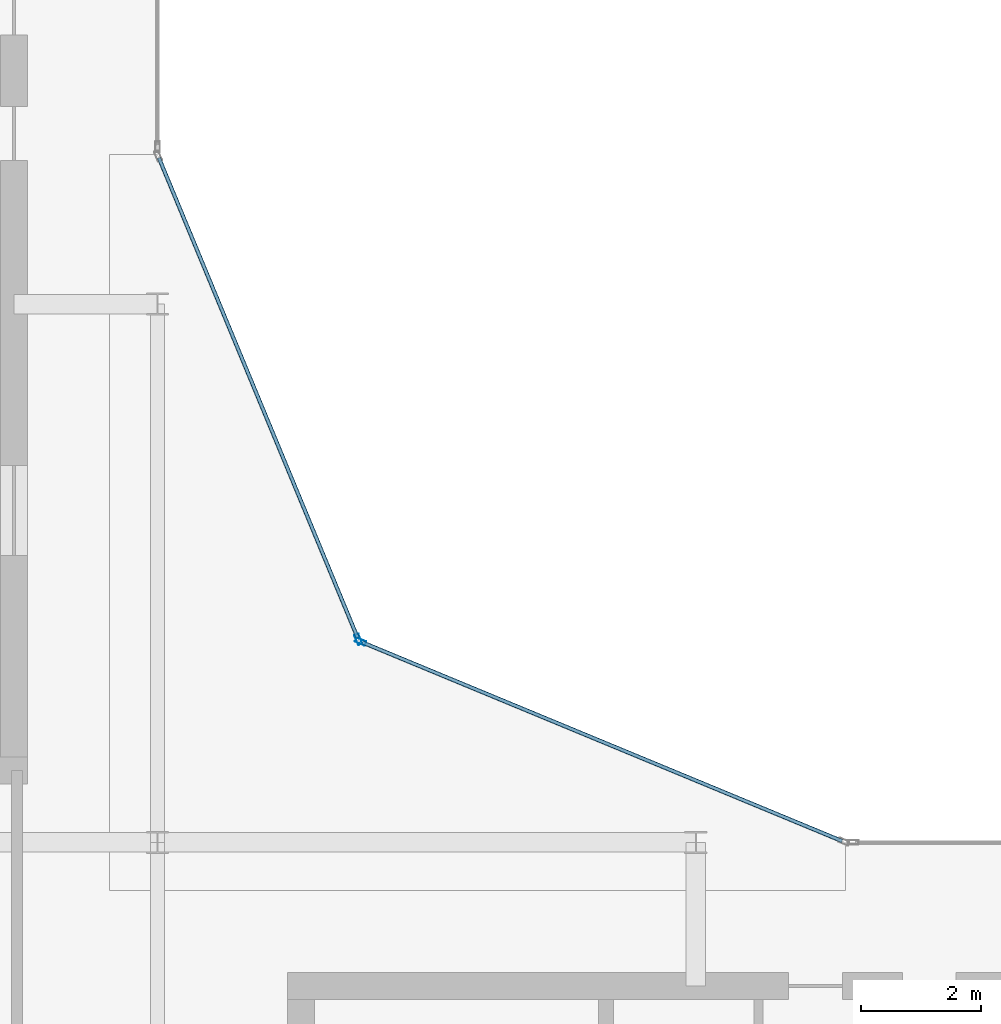
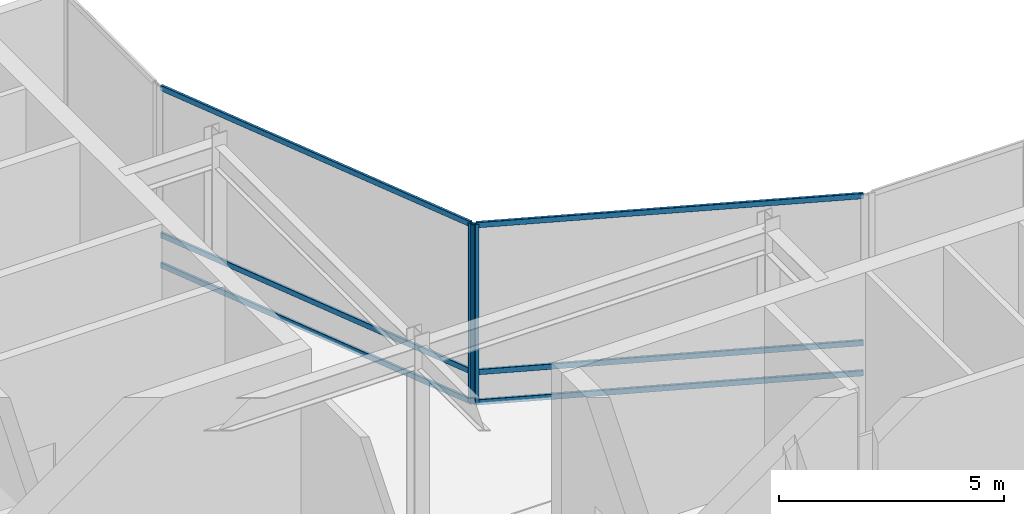
# One storey, part 10 of 21: 8 members, 2 elements without a shape of their own.
"""IFC4 building model written with IfcOpenShell, lengths in metres."""

from ifc_helpers import new_model, si_unit, direction, frame, origin, origin_2d, place, context, subcontext, project, spatial, hollow_rectangle, extrude, material, layer, layer_set, material_profile, profile_set, type_object, element, aggregate, save


model = new_model("IFC4")

# Units and contexts
model_context = context("Model", 3, precision=1e-05, world=origin(), true_north=direction((0.0, 1.0)))
body_context = subcontext(model_context, "Body", "Model", "MODEL_VIEW")
ifc_project = project(units=[si_unit("LENGTHUNIT", "METRE"), si_unit("AREAUNIT", "SQUARE_METRE"), si_unit("VOLUMEUNIT", "CUBIC_METRE"), si_unit("PLANEANGLEUNIT", "RADIAN"), si_unit("MASSUNIT", "GRAM", prefix="KILO")], contexts=[model_context])

# Site, building, storey
site_placement = place(None, origin())
site = spatial("IfcSite", under=ifc_project, at=site_placement, CompositionType="ELEMENT")
building_placement = place(site_placement, origin())
building = spatial("IfcBuilding", under=site, at=building_placement, Name="Solvaryn Broadcast Tower", CompositionType="ELEMENT")
storey_placement = place(building_placement, frame((0.0, 0.0, 297.39990234375)))
storey = spatial("IfcBuildingStorey", under=building, at=storey_placement, Name="L75", CompositionType="ELEMENT", Elevation=297.39990234375)

# Curtain wall, member
ifc_material_1 = material(Name="Aluminium and Terracotta Unitised Curtain Wall", Category="masonry")
ifc_layer = layer(ifc_material_1, 0.260009765625)
ifc_layer_set = layer_set([ifc_layer], Name="CW-SYS5-DAMPER")
curtain_wall_type = type_object("IfcCurtainWallType", Name="CW-SYS5-DAMPER", PredefinedType="NOTDEFINED", material=ifc_layer_set)
curtain_wall_1_placement = place(storey_placement, origin())
curtain_wall_1 = element("IfcCurtainWall", 1, at=curtain_wall_1_placement, inside=storey, type_object=curtain_wall_type, Name="L75 Curtain Wall CN1", PredefinedType="NOTDEFINED")
ifc_material_2 = material(Name="Anodised Aluminium 6063-T6", Category="aluminium")
ifc_material_profile_1 = material_profile(ifc_material_2, hollow_rectangle(XDim=0.074951171875, YDim=0.179931640625, WallThickness=0.00390625, InnerFilletRadius=0.00390625, OuterFilletRadius=0.008056640625, at=origin_2d()))
ifc_profile_set_1 = profile_set([ifc_material_profile_1], Name="Anodised Aluminium 6063-T6")
member_type_1 = type_object("IfcMemberType", Name="CW-MUL-180", PredefinedType="MULLION", material=ifc_profile_set_1)
member_1_placement = place(storey_placement, frame((30.395751953125, 30.3564453125, 0.0), z_axis=(0.0, 0.0, 1.0), x_axis=(-0.382646127145, -0.923894983957, 0.0)))
member_1 = element("IfcMember", 2, at=member_1_placement, type_object=member_type_1, Name="CWS5 mullion 2", PredefinedType="MULLION", context=body_context, shape_type="SweptSolid", body=[
    extrude(hollow_rectangle(XDim=0.074951171875, YDim=0.179931640625, WallThickness=0.00390625, InnerFilletRadius=0.00390625, OuterFilletRadius=0.008056640625, at=origin_2d()), origin(), (0.0, 0.0, 1.0), 4.8701171875),
])

curtain_wall_2_placement = place(storey_placement, origin())
curtain_wall_2 = element("IfcCurtainWall", 3, at=curtain_wall_2_placement, inside=storey, type_object=curtain_wall_type, Name="L75 Curtain Wall CN2", PredefinedType="NOTDEFINED")
member_2_placement = place(storey_placement, frame((30.3564453125, 30.395751953125, 0.0), z_axis=(0.0, 0.0, 1.0), x_axis=(-0.923894983957, -0.382646127145, 0.0)))
member_2 = element("IfcMember", 4, at=member_2_placement, type_object=member_type_1, Name="CWS5 mullion 1", PredefinedType="MULLION", context=body_context, shape_type="SweptSolid", body=[
    extrude(hollow_rectangle(XDim=0.074951171875, YDim=0.179931640625, WallThickness=0.00390625, InnerFilletRadius=0.00390625, OuterFilletRadius=0.008056640625, at=origin_2d()), origin(), (0.0, 0.0, 1.0), 4.8701171875),
])

# Member
ifc_material_3 = material(Name="Anodised Aluminium 6063-T6", Category="aluminium")
ifc_material_profile_2 = material_profile(ifc_material_3, hollow_rectangle(XDim=0.06494140625, YDim=0.14990234375, WallThickness=0.00390625, InnerFilletRadius=0.00390625, OuterFilletRadius=0.008056640625, at=origin_2d()))
ifc_profile_set_2 = profile_set([ifc_material_profile_2], Name="Anodised Aluminium 6063-T6")
member_type_2 = type_object("IfcMemberType", Name="CW-TRN-150", PredefinedType="USERDEFINED", material=ifc_profile_set_2)
member_3_placement = place(storey_placement, frame((38.444580078125, 27.02294921875, 0.030029296875), z_axis=(-0.923899282177, 0.382635748975, 0.0), x_axis=(-0.382635748975, -0.923899282177, 0.0)))
member_3 = element("IfcMember", 5, at=member_3_placement, type_object=member_type_2, Name="CWS5 transom 1.1", ObjectType="TRANSOM", PredefinedType="USERDEFINED", context=body_context, shape_type="SweptSolid", body=[
    extrude(hollow_rectangle(XDim=0.06494140625, YDim=0.14990234375, WallThickness=0.00390625, InnerFilletRadius=0.00390625, OuterFilletRadius=0.008056640625, at=origin_2d()), origin(), (0.0, 0.0, 1.0), 8.681884765625),
])

member_4_placement = place(storey_placement, frame((38.444580078125, 27.02294921875, 0.85009765625), z_axis=(-0.923899282177, 0.382635748975, 0.0), x_axis=(-0.382635748975, -0.923899282177, 0.0)))
member_4 = element("IfcMember", 6, at=member_4_placement, type_object=member_type_2, Name="CWS5 transom 1.2", ObjectType="TRANSOM", PredefinedType="USERDEFINED", context=body_context, shape_type="SweptSolid", body=[
    extrude(hollow_rectangle(XDim=0.06494140625, YDim=0.14990234375, WallThickness=0.00390625, InnerFilletRadius=0.00390625, OuterFilletRadius=0.008056640625, at=origin_2d()), origin(), (0.0, 0.0, 1.0), 8.681884765625),
])

member_5_placement = place(storey_placement, frame((38.444580078125, 27.02294921875, 4.840087890625), z_axis=(-0.923899282177, 0.382635748975, 0.0), x_axis=(-0.382635748975, -0.923899282177, 0.0)))
member_5 = element("IfcMember", 7, at=member_5_placement, type_object=member_type_2, Name="CWS5 transom 1.3", ObjectType="TRANSOM", PredefinedType="USERDEFINED", context=body_context, shape_type="SweptSolid", body=[
    extrude(hollow_rectangle(XDim=0.06494140625, YDim=0.14990234375, WallThickness=0.00390625, InnerFilletRadius=0.00390625, OuterFilletRadius=0.008056640625, at=origin_2d()), origin(), (0.0, 0.0, 1.0), 8.681884765625),
])

aggregate(curtain_wall_1, [member_1, member_3, member_4, member_5])

member_6_placement = place(storey_placement, frame((30.344970703125, 30.42333984375, 0.030029296875), z_axis=(-0.382635748975, 0.923899282177, 0.0), x_axis=(-0.923899282177, -0.382635748975, 0.0)))
member_6 = element("IfcMember", 8, at=member_6_placement, type_object=member_type_2, Name="CWS5 transom 1.1", ObjectType="TRANSOM", PredefinedType="USERDEFINED", context=body_context, shape_type="SweptSolid", body=[
    extrude(hollow_rectangle(XDim=0.06494140625, YDim=0.14990234375, WallThickness=0.00390625, InnerFilletRadius=0.00390625, OuterFilletRadius=0.008056640625, at=origin_2d()), origin(), (0.0, 0.0, 1.0), 8.681884765625),
])

member_7_placement = place(storey_placement, frame((30.344970703125, 30.42333984375, 0.85009765625), z_axis=(-0.382635748975, 0.923899282177, 0.0), x_axis=(-0.923899282177, -0.382635748975, 0.0)))
member_7 = element("IfcMember", 9, at=member_7_placement, type_object=member_type_2, Name="CWS5 transom 1.2", ObjectType="TRANSOM", PredefinedType="USERDEFINED", context=body_context, shape_type="SweptSolid", body=[
    extrude(hollow_rectangle(XDim=0.06494140625, YDim=0.14990234375, WallThickness=0.00390625, InnerFilletRadius=0.00390625, OuterFilletRadius=0.008056640625, at=origin_2d()), origin(), (0.0, 0.0, 1.0), 8.681884765625),
])

member_8_placement = place(storey_placement, frame((30.344970703125, 30.42333984375, 4.840087890625), z_axis=(-0.382635748975, 0.923899282177, 0.0), x_axis=(-0.923899282177, -0.382635748975, 0.0)))
member_8 = element("IfcMember", 10, at=member_8_placement, type_object=member_type_2, Name="CWS5 transom 1.3", ObjectType="TRANSOM", PredefinedType="USERDEFINED", context=body_context, shape_type="SweptSolid", body=[
    extrude(hollow_rectangle(XDim=0.06494140625, YDim=0.14990234375, WallThickness=0.00390625, InnerFilletRadius=0.00390625, OuterFilletRadius=0.008056640625, at=origin_2d()), origin(), (0.0, 0.0, 1.0), 8.681884765625),
])

aggregate(curtain_wall_2, [member_2, member_6, member_7, member_8])

save(model, "model.ifc")
